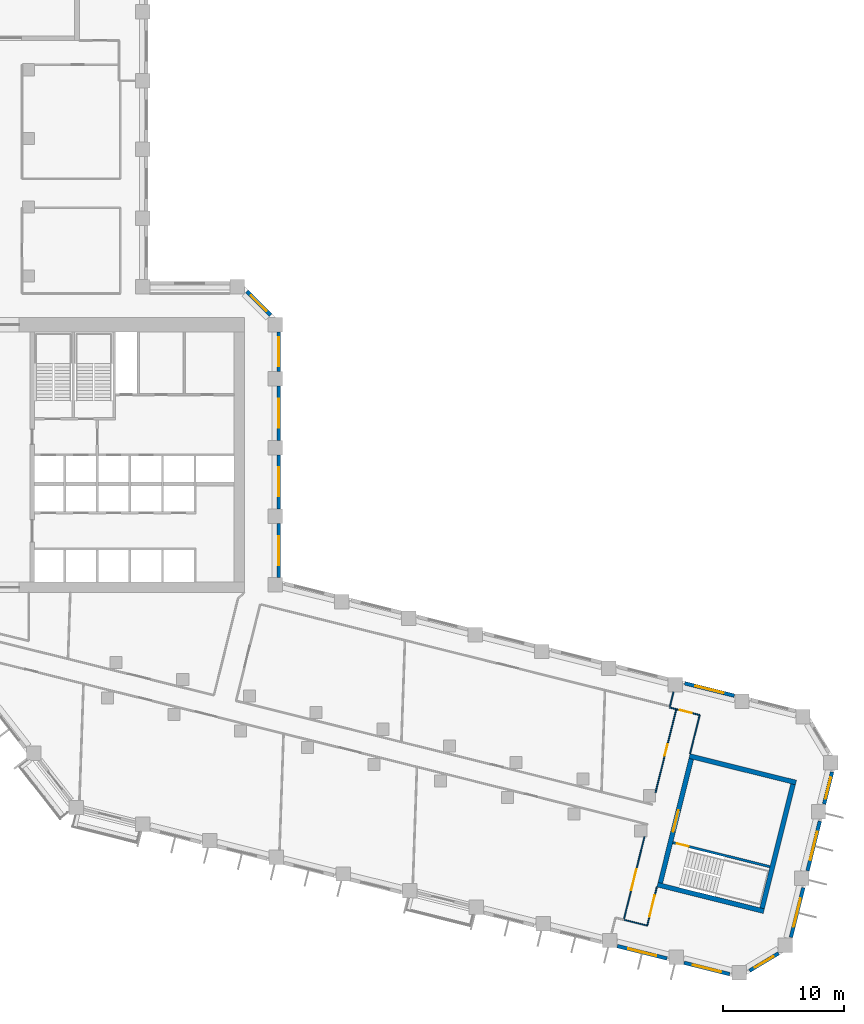
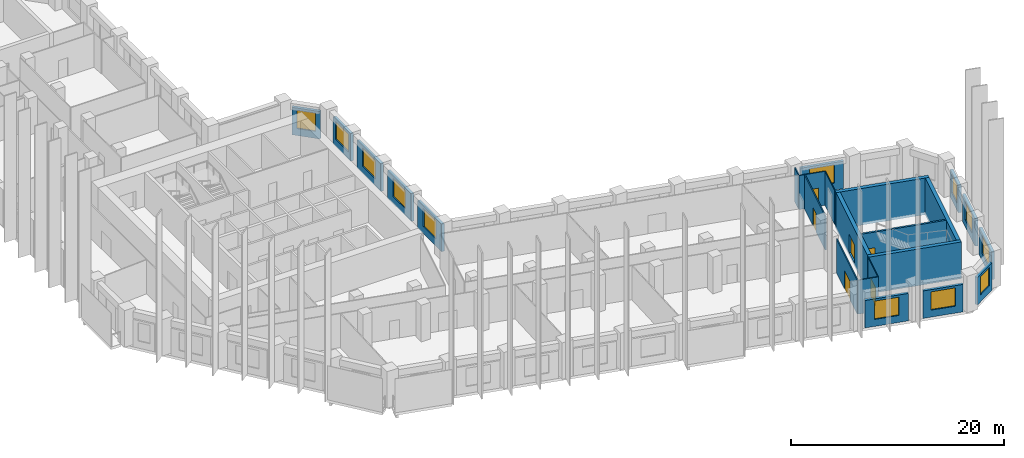
# One storey, part 6 of 10: 25 walls, 12 windows, 6 doors, 18 openings.
"""IFC4 building model written with IfcOpenShell, lengths in metres."""

from ifc_helpers import new_model, si_unit, direction, frame, frame_2d, origin, place, context, subcontext, project, spatial, rectangle, extrude, material, layer, layer_set, type_object, element, fill, save


model = new_model("IFC4")

# Units and contexts
model_context = context("Model", 3, precision=1e-05, world=origin(), true_north=direction((0.0, 1.0)))
body_context = subcontext(model_context, "Body", "Model", "MODEL_VIEW")
ifc_project = project(units=[si_unit("LENGTHUNIT", "METRE"), si_unit("AREAUNIT", "SQUARE_METRE"), si_unit("VOLUMEUNIT", "CUBIC_METRE"), si_unit("PLANEANGLEUNIT", "RADIAN"), si_unit("MASSUNIT", "GRAM", prefix="KILO")], contexts=[model_context])

# Site, building, storey
site_placement = place(None, origin())
site = spatial("IfcSite", under=ifc_project, at=site_placement, CompositionType="ELEMENT")
building_placement = place(site_placement, origin())
building = spatial("IfcBuilding", under=site, at=building_placement, Name="Meshkara Civic Tower", CompositionType="ELEMENT")
storey_placement = place(building_placement, frame((0.0, 0.0, 161.39990234375)))
storey = spatial("IfcBuildingStorey", under=building, at=storey_placement, Name="L36", CompositionType="ELEMENT", Elevation=161.39990234375)

# Wall
ifc_material_1 = material(Name="Corridor wall 100")
ifc_layer_1 = layer(ifc_material_1, 0.10009765625)
ifc_layer_set_1 = layer_set([ifc_layer_1], Name="Corridor wall 100")
wall_type_1 = type_object("IfcWallType", Name="Corridor wall 100", PredefinedType="PARTITIONING", material=ifc_layer_set_1)
wall_1_placement = place(storey_placement, frame((62.261962890625, -13.050048828125, 0.0), z_axis=(0.0, 0.0, 1.0), x_axis=(0.970300241929, -0.241903783585, 0.0)))
element("IfcWall", 1, at=wall_1_placement, inside=storey, type_object=wall_type_1, Name="L36-W032", PredefinedType="PARTITIONING", context=body_context, shape_type="SweptSolid", body=[
    extrude(rectangle(XDim=2.000244140625, YDim=0.10009765625, at=frame_2d((1.0, 0.0))), origin(), (0.0, 0.0, 1.0), 3.900146484375),
])

# Wall, opening, door
wall_2_placement = place(storey_placement, frame((63.97705078125, -6.1708984375, 0.0), z_axis=(0.0, 0.0, 1.0), x_axis=(-0.241911678739, -0.970298273568, 0.0)))
wall_2 = element("IfcWall", 2, at=wall_2_placement, inside=storey, type_object=wall_type_1, Name="L36-W033", PredefinedType="PARTITIONING", context=body_context, shape_type="SweptSolid", body=[
    extrude(rectangle(XDim=7.08984375, YDim=0.10009765625, at=frame_2d((3.544921875, 0.0))), origin(), (0.0, 0.0, 1.0), 3.900146484375),
])
opening_1_placement = place(wall_2_placement, frame((2.780029296875, 0.0, 0.0)))
opening_1 = element("IfcOpeningElement", 3, at=opening_1_placement, cuts=wall_2, Name="Opening L36-D001", PredefinedType="OPENING", context=body_context, shape_type="SweptSolid", body=[
    extrude(rectangle(XDim=1.800048828125, YDim=2.10009765625, at=frame_2d((0.89990234375, 1.050048828125))), frame((0.0, 0.06005859375, 0.0), z_axis=(0.0, -1.0, 0.0), x_axis=(1.0, 0.0, 0.0)), (0.0, 0.0, 1.0), 0.1201171875),
])
ifc_material_2 = material(Name="Door pair 1800 x 2100")
door_type_1 = type_object("IfcDoorType", Name="Door pair 1800 x 2100", OperationType="SINGLE_SWING_LEFT", PredefinedType="DOOR", material=ifc_material_2)
door_1_placement = place(opening_1_placement, origin())
door_1 = element("IfcDoor", 4, at=door_1_placement, inside=storey, type_object=door_type_1, Name="L36-D001", OperationType="DOUBLE_DOOR_SINGLE_SWING", OverallHeight=2.10009765625, OverallWidth=1.800048828125, PredefinedType="DOOR", context=body_context, shape_type="SweptSolid", body=[
    extrude(rectangle(XDim=1.800048828125, YDim=2.10009765625, at=frame_2d((0.89990234375, 1.050048828125))), frame((0.0, 0.02490234375, 0.0), z_axis=(0.0, -1.0, 0.0), x_axis=(1.0, 0.0, 0.0)), (0.0, 0.0, 1.0), 0.050048828125),
])
fill(opening_1, door_1)

wall_3_placement = place(storey_placement, frame((64.202880859375, -13.533935546875, 0.0), z_axis=(0.0, 0.0, 1.0), x_axis=(0.241856645367, 0.970311992656, 0.0)))
wall_3 = element("IfcWall", 5, at=wall_3_placement, inside=storey, type_object=wall_type_1, Name="L36-W034", PredefinedType="PARTITIONING", context=body_context, shape_type="SweptSolid", body=[
    extrude(rectangle(XDim=3.2998046875, YDim=0.10009765625, at=frame_2d((1.64990234375, 0.0))), origin(), (0.0, 0.0, 1.0), 3.900146484375),
])
opening_2_placement = place(wall_3_placement, frame((0.780029296875, 0.0, 0.0)))
opening_2 = element("IfcOpeningElement", 6, at=opening_2_placement, cuts=wall_3, Name="Opening L36-D002", PredefinedType="OPENING", context=body_context, shape_type="SweptSolid", body=[
    extrude(rectangle(XDim=1.800048828125, YDim=2.10009765625, at=frame_2d((0.89990234375, 1.050048828125))), frame((0.0, 0.06005859375, 0.0), z_axis=(0.0, -1.0, 0.0), x_axis=(1.0, 0.0, 0.0)), (0.0, 0.0, 1.0), 0.1201171875),
])
door_2_placement = place(opening_2_placement, origin())
door_2 = element("IfcDoor", 7, at=door_2_placement, inside=storey, type_object=door_type_1, Name="L36-D002", OperationType="DOUBLE_DOOR_SINGLE_SWING", OverallHeight=2.10009765625, OverallWidth=1.800048828125, PredefinedType="DOOR", context=body_context, shape_type="SweptSolid", body=[
    extrude(rectangle(XDim=1.800048828125, YDim=2.10009765625, at=frame_2d((0.89990234375, 1.050048828125))), frame((0.0, 0.02490234375, 0.0), z_axis=(0.0, -1.0, 0.0), x_axis=(1.0, 0.0, 0.0)), (0.0, 0.0, 1.0), 0.050048828125),
])
fill(opening_2, door_2)

# Wall
wall_4_placement = place(storey_placement, frame((66.0869140625, 4.64990234375, 0.0), z_axis=(0.0, 0.0, 1.0), x_axis=(0.24202255973, 0.970270622343, 0.0)))
element("IfcWall", 8, at=wall_4_placement, inside=storey, type_object=wall_type_1, Name="L36-W035", PredefinedType="PARTITIONING", context=body_context, shape_type="SweptSolid", body=[
    extrude(rectangle(XDim=1.231689453125, YDim=0.10009765625, at=frame_2d((0.61572265625, 0.0))), origin(), (0.0, 0.0, 1.0), 3.900146484375),
])

# Wall, opening, door
wall_5_placement = place(storey_placement, frame((66.616943359375, 4.4150390625, 0.0), z_axis=(0.0, 0.0, 1.0), x_axis=(-0.241898048516, -0.97030167171, 0.0)))
wall_5 = element("IfcWall", 9, at=wall_5_placement, inside=storey, type_object=wall_type_1, Name="L36-W036", PredefinedType="PARTITIONING", context=body_context, shape_type="SweptSolid", body=[
    extrude(rectangle(XDim=7.118408203125, YDim=0.10009765625, at=frame_2d((3.55908203125, 0.0))), origin(), (0.0, 0.0, 1.0), 3.900146484375),
])
opening_3_placement = place(wall_5_placement, frame((2.97998046875, 0.0, 0.0)))
opening_3 = element("IfcOpeningElement", 10, at=opening_3_placement, cuts=wall_5, Name="Opening L36-D008", PredefinedType="OPENING", context=body_context, shape_type="SweptSolid", body=[
    extrude(rectangle(XDim=1.0, YDim=2.10009765625, at=frame_2d((0.5, 1.050048828125))), frame((0.0, 0.06005859375, 0.0), z_axis=(0.0, -1.0, 0.0), x_axis=(1.0, 0.0, 0.0)), (0.0, 0.0, 1.0), 0.1201171875),
])
ifc_material_3 = material(Name="Door 1000 x 2100")
door_type_2 = type_object("IfcDoorType", Name="Door 1000 x 2100", OperationType="SINGLE_SWING_LEFT", PredefinedType="DOOR", material=ifc_material_3)
door_3_placement = place(opening_3_placement, origin())
door_3 = element("IfcDoor", 11, at=door_3_placement, inside=storey, type_object=door_type_2, Name="L36-D008", OperationType="SINGLE_SWING_RIGHT", OverallHeight=2.10009765625, OverallWidth=1.0, PredefinedType="DOOR", context=body_context, shape_type="SweptSolid", body=[
    extrude(rectangle(XDim=1.0, YDim=2.10009765625, at=frame_2d((0.5, 1.050048828125))), frame((0.0, 0.02490234375, 0.0), z_axis=(0.0, -1.0, 0.0), x_axis=(1.0, 0.0, 0.0)), (0.0, 0.0, 1.0), 0.050048828125),
])
fill(opening_3, door_3)

# Wall
wall_6_placement = place(storey_placement, frame((67.759033203125, 0.72900390625, 0.0), z_axis=(0.0, 0.0, 1.0), x_axis=(0.241786986316, 0.970329352977, 0.0)))
element("IfcWall", 12, at=wall_6_placement, inside=storey, type_object=wall_type_1, Name="L36-W037", PredefinedType="PARTITIONING", context=body_context, shape_type="SweptSolid", body=[
    extrude(rectangle(XDim=3.2998046875, YDim=0.10009765625, at=frame_2d((1.64990234375, 0.0))), origin(), (0.0, 0.0, 1.0), 3.900146484375),
])

# Wall, opening, door
wall_7_placement = place(storey_placement, frame((68.556884765625, 3.930908203125, 0.0), z_axis=(0.0, 0.0, 1.0), x_axis=(-0.970242973473, 0.242133377347, 0.0)))
wall_7 = element("IfcWall", 13, at=wall_7_placement, inside=storey, type_object=wall_type_1, Name="L36-W038", PredefinedType="PARTITIONING", context=body_context, shape_type="SweptSolid", body=[
    extrude(rectangle(XDim=1.99951171875, YDim=0.10009765625, at=frame_2d((0.999755859375, 0.0))), origin(), (0.0, 0.0, 1.0), 3.900146484375),
])
opening_4_placement = place(wall_7_placement, frame((0.679931640625, 0.0, 0.0)))
opening_4 = element("IfcOpeningElement", 14, at=opening_4_placement, cuts=wall_7, Name="Opening L36-D009", PredefinedType="OPENING", context=body_context, shape_type="SweptSolid", body=[
    extrude(rectangle(XDim=1.0, YDim=2.10009765625, at=frame_2d((0.5, 1.050048828125))), frame((0.0, 0.06005859375, 0.0), z_axis=(0.0, -1.0, 0.0), x_axis=(1.0, 0.0, 0.0)), (0.0, 0.0, 1.0), 0.1201171875),
])
door_4_placement = place(opening_4_placement, origin())
door_4 = element("IfcDoor", 15, at=door_4_placement, inside=storey, type_object=door_type_2, Name="L36-D009", OperationType="SINGLE_SWING_LEFT", OverallHeight=2.10009765625, OverallWidth=1.0, PredefinedType="DOOR", context=body_context, shape_type="SweptSolid", body=[
    extrude(rectangle(XDim=1.0, YDim=2.10009765625, at=frame_2d((0.5, 1.050048828125))), frame((0.0, 0.02490234375, 0.0), z_axis=(0.0, -1.0, 0.0), x_axis=(1.0, 0.0, 0.0)), (0.0, 0.0, 1.0), 0.050048828125),
])
fill(opening_4, door_4)

# Wall, opening, window
ifc_material_4 = material(Name="Insulated infill panel with bronze anodised aluminium cladding", Category="aluminium")
ifc_layer_2 = layer(ifc_material_4, 0.300048828125)
ifc_layer_set_2 = layer_set([ifc_layer_2], Name="EXTERNAL INFILL WALL 300")
wall_type_2 = type_object("IfcWallType", Name="EXTERNAL INFILL WALL 300", PredefinedType="SOLIDWALL", material=ifc_layer_set_2)
wall_8_placement = place(storey_placement, frame((71.431884765625, 5.532958984375, 0.0), z_axis=(0.0, 0.0, 1.0), x_axis=(-0.970301260502, 0.241899697951, 0.0)))
wall_8 = element("IfcWall", 16, at=wall_8_placement, inside=storey, type_object=wall_type_2, Name="External wall", PredefinedType="SOLIDWALL", context=body_context, shape_type="SweptSolid", body=[
    extrude(rectangle(XDim=4.24609375, YDim=0.300048828125, at=frame_2d((2.123046875, 0.0))), origin(), (0.0, 0.0, 1.0), 3.150146484375),
])
opening_5_placement = place(wall_8_placement, frame((0.923095703125, 0.0, 0.800048828125)))
opening_5 = element("IfcOpeningElement", 17, at=opening_5_placement, cuts=wall_8, Name="Opening W7", PredefinedType="OPENING", context=body_context, shape_type="SweptSolid", body=[
    extrude(rectangle(XDim=2.39990234375, YDim=2.10009765625, at=frame_2d((1.199951171875, 1.050048828125))), frame((0.0, 0.159912109375, 0.0), z_axis=(0.0, -1.0, 0.0), x_axis=(1.0, 0.0, 0.0)), (0.0, 0.0, 1.0), 0.320068359375),
])
ifc_material_5 = material(Name="Tinted double glazing", Category="glass")
window_type_1 = type_object("IfcWindowType", Name="WINDOW 2400x2100", PartitioningType="DOUBLE_PANEL_VERTICAL", PredefinedType="WINDOW", material=ifc_material_5)
window_1_placement = place(opening_5_placement, origin())
window_1 = element("IfcWindow", 18, at=window_1_placement, inside=storey, type_object=window_type_1, Name="Window", OverallHeight=2.10009765625, OverallWidth=2.39990234375, PartitioningType="DOUBLE_PANEL_VERTICAL", PredefinedType="WINDOW", context=body_context, shape_type="SweptSolid", body=[
    extrude(rectangle(XDim=2.39990234375, YDim=2.10009765625, at=frame_2d((1.199951171875, 1.050048828125))), frame((0.0, 0.030029296875, 0.0), z_axis=(0.0, -1.0, 0.0), x_axis=(1.0, 0.0, 0.0)), (0.0, 0.0, 1.0), 0.06005859375),
])
fill(opening_5, window_1)

wall_9_placement = place(storey_placement, frame((33.64990234375, 15.319091796875, 0.0), z_axis=(0.0, 0.0, 1.0), x_axis=(0.0, 1.0, 0.0)))
wall_9 = element("IfcWall", 19, at=wall_9_placement, inside=storey, type_object=wall_type_2, Name="External wall", PredefinedType="SOLIDWALL", context=body_context, shape_type="SweptSolid", body=[
    extrude(rectangle(XDim=4.5, YDim=0.300048828125, at=frame_2d((2.25, 0.0))), origin(), (0.0, 0.0, 1.0), 3.150146484375),
])
opening_6_placement = place(wall_9_placement, frame((1.050048828125, 0.0, 0.800048828125)))
opening_6 = element("IfcOpeningElement", 20, at=opening_6_placement, cuts=wall_9, Name="Opening W7", PredefinedType="OPENING", context=body_context, shape_type="SweptSolid", body=[
    extrude(rectangle(XDim=2.39990234375, YDim=2.10009765625, at=frame_2d((1.199951171875, 1.050048828125))), frame((0.0, 0.159912109375, 0.0), z_axis=(0.0, -1.0, 0.0), x_axis=(1.0, 0.0, 0.0)), (0.0, 0.0, 1.0), 0.320068359375),
])
window_2_placement = place(opening_6_placement, origin())
window_2 = element("IfcWindow", 21, at=window_2_placement, inside=storey, type_object=window_type_1, Name="Window", OverallHeight=2.10009765625, OverallWidth=2.39990234375, PartitioningType="DOUBLE_PANEL_VERTICAL", PredefinedType="WINDOW", context=body_context, shape_type="SweptSolid", body=[
    extrude(rectangle(XDim=2.39990234375, YDim=2.10009765625, at=frame_2d((1.199951171875, 1.050048828125))), frame((0.0, 0.030029296875, 0.0), z_axis=(0.0, -1.0, 0.0), x_axis=(1.0, 0.0, 0.0)), (0.0, 0.0, 1.0), 0.06005859375),
])
fill(opening_6, window_2)

wall_10_placement = place(storey_placement, frame((33.64990234375, 21.01904296875, 0.0), z_axis=(0.0, 0.0, 1.0), x_axis=(0.0, 1.0, 0.0)))
wall_10 = element("IfcWall", 22, at=wall_10_placement, inside=storey, type_object=wall_type_2, Name="External wall", PredefinedType="SOLIDWALL", context=body_context, shape_type="SweptSolid", body=[
    extrude(rectangle(XDim=4.5, YDim=0.300048828125, at=frame_2d((2.25, 0.0))), origin(), (0.0, 0.0, 1.0), 3.150146484375),
])
opening_7_placement = place(wall_10_placement, frame((1.050048828125, 0.0, 0.800048828125)))
opening_7 = element("IfcOpeningElement", 23, at=opening_7_placement, cuts=wall_10, Name="Opening W7", PredefinedType="OPENING", context=body_context, shape_type="SweptSolid", body=[
    extrude(rectangle(XDim=2.39990234375, YDim=2.10009765625, at=frame_2d((1.199951171875, 1.050048828125))), frame((0.0, 0.159912109375, 0.0), z_axis=(0.0, -1.0, 0.0), x_axis=(1.0, 0.0, 0.0)), (0.0, 0.0, 1.0), 0.320068359375),
])
window_3_placement = place(opening_7_placement, origin())
window_3 = element("IfcWindow", 24, at=window_3_placement, inside=storey, type_object=window_type_1, Name="Window", OverallHeight=2.10009765625, OverallWidth=2.39990234375, PartitioningType="DOUBLE_PANEL_VERTICAL", PredefinedType="WINDOW", context=body_context, shape_type="SweptSolid", body=[
    extrude(rectangle(XDim=2.39990234375, YDim=2.10009765625, at=frame_2d((1.199951171875, 1.050048828125))), frame((0.0, 0.030029296875, 0.0), z_axis=(0.0, -1.0, 0.0), x_axis=(1.0, 0.0, 0.0)), (0.0, 0.0, 1.0), 0.06005859375),
])
fill(opening_7, window_3)

wall_11_placement = place(storey_placement, frame((33.64990234375, 26.718994140625, 0.0), z_axis=(0.0, 0.0, 1.0), x_axis=(0.0, 1.0, 0.0)))
wall_11 = element("IfcWall", 25, at=wall_11_placement, inside=storey, type_object=wall_type_2, Name="External wall", PredefinedType="SOLIDWALL", context=body_context, shape_type="SweptSolid", body=[
    extrude(rectangle(XDim=4.5, YDim=0.300048828125, at=frame_2d((2.25, 0.0))), origin(), (0.0, 0.0, 1.0), 3.150146484375),
])
opening_8_placement = place(wall_11_placement, frame((1.050048828125, 0.0, 0.800048828125)))
opening_8 = element("IfcOpeningElement", 26, at=opening_8_placement, cuts=wall_11, Name="Opening W7", PredefinedType="OPENING", context=body_context, shape_type="SweptSolid", body=[
    extrude(rectangle(XDim=2.39990234375, YDim=2.10009765625, at=frame_2d((1.199951171875, 1.050048828125))), frame((0.0, 0.159912109375, 0.0), z_axis=(0.0, -1.0, 0.0), x_axis=(1.0, 0.0, 0.0)), (0.0, 0.0, 1.0), 0.320068359375),
])
window_4_placement = place(opening_8_placement, origin())
window_4 = element("IfcWindow", 27, at=window_4_placement, inside=storey, type_object=window_type_1, Name="Window", OverallHeight=2.10009765625, OverallWidth=2.39990234375, PartitioningType="DOUBLE_PANEL_VERTICAL", PredefinedType="WINDOW", context=body_context, shape_type="SweptSolid", body=[
    extrude(rectangle(XDim=2.39990234375, YDim=2.10009765625, at=frame_2d((1.199951171875, 1.050048828125))), frame((0.0, 0.030029296875, 0.0), z_axis=(0.0, -1.0, 0.0), x_axis=(1.0, 0.0, 0.0)), (0.0, 0.0, 1.0), 0.06005859375),
])
fill(opening_8, window_4)

wall_12_placement = place(storey_placement, frame((33.64990234375, 32.4189453125, 0.0), z_axis=(0.0, 0.0, 1.0), x_axis=(0.0, 1.0, 0.0)))
wall_12 = element("IfcWall", 28, at=wall_12_placement, inside=storey, type_object=wall_type_2, Name="External wall", PredefinedType="SOLIDWALL", context=body_context, shape_type="SweptSolid", body=[
    extrude(rectangle(XDim=3.275146484375, YDim=0.300048828125, at=frame_2d((1.6376953125, 0.0))), origin(), (0.0, 0.0, 1.0), 3.150146484375),
])
opening_9_placement = place(wall_12_placement, frame((0.43798828125, 0.0, 0.800048828125)))
opening_9 = element("IfcOpeningElement", 29, at=opening_9_placement, cuts=wall_12, Name="Opening W7", PredefinedType="OPENING", context=body_context, shape_type="SweptSolid", body=[
    extrude(rectangle(XDim=2.39990234375, YDim=2.10009765625, at=frame_2d((1.199951171875, 1.050048828125))), frame((0.0, 0.159912109375, 0.0), z_axis=(0.0, -1.0, 0.0), x_axis=(1.0, 0.0, 0.0)), (0.0, 0.0, 1.0), 0.320068359375),
])
window_5_placement = place(opening_9_placement, origin())
window_5 = element("IfcWindow", 30, at=window_5_placement, inside=storey, type_object=window_type_1, Name="Window", OverallHeight=2.10009765625, OverallWidth=2.39990234375, PartitioningType="DOUBLE_PANEL_VERTICAL", PredefinedType="WINDOW", context=body_context, shape_type="SweptSolid", body=[
    extrude(rectangle(XDim=2.39990234375, YDim=2.10009765625, at=frame_2d((1.199951171875, 1.050048828125))), frame((0.0, 0.030029296875, 0.0), z_axis=(0.0, -1.0, 0.0), x_axis=(1.0, 0.0, 0.0)), (0.0, 0.0, 1.0), 0.06005859375),
])
fill(opening_9, window_5)

wall_13_placement = place(storey_placement, frame((32.9619140625, 37.10595703125, 0.0), z_axis=(0.0, 0.0, 1.0), x_axis=(-0.707062649074, 0.707150910545, 0.0)))
wall_13 = element("IfcWall", 31, at=wall_13_placement, inside=storey, type_object=wall_type_2, Name="External wall", PredefinedType="SOLIDWALL", context=body_context, shape_type="SweptSolid", body=[
    extrude(rectangle(XDim=2.76611328125, YDim=0.300048828125, at=frame_2d((1.383056640625, 0.0))), origin(), (0.0, 0.0, 1.0), 3.150146484375),
])
opening_10_placement = place(wall_13_placement, frame((0.48291015625, 0.0, 0.800048828125)))
opening_10 = element("IfcOpeningElement", 32, at=opening_10_placement, cuts=wall_13, Name="Opening W9", PredefinedType="OPENING", context=body_context, shape_type="SweptSolid", body=[
    extrude(rectangle(XDim=1.800048828125, YDim=2.10009765625, at=frame_2d((0.89990234375, 1.050048828125))), frame((0.0, 0.159912109375, 0.0), z_axis=(0.0, -1.0, 0.0), x_axis=(1.0, 0.0, 0.0)), (0.0, 0.0, 1.0), 0.320068359375),
])
ifc_material_6 = material(Name="Tinted double glazing", Category="glass")
window_type_2 = type_object("IfcWindowType", Name="WINDOW 1800x2100", PartitioningType="DOUBLE_PANEL_VERTICAL", PredefinedType="WINDOW", material=ifc_material_6)
window_6_placement = place(opening_10_placement, origin())
window_6 = element("IfcWindow", 33, at=window_6_placement, inside=storey, type_object=window_type_2, Name="Window", OverallHeight=2.10009765625, OverallWidth=1.800048828125, PartitioningType="DOUBLE_PANEL_VERTICAL", PredefinedType="WINDOW", context=body_context, shape_type="SweptSolid", body=[
    extrude(rectangle(XDim=1.800048828125, YDim=2.10009765625, at=frame_2d((0.89990234375, 1.050048828125))), frame((0.0, 0.030029296875, 0.0), z_axis=(0.0, -1.0, 0.0), x_axis=(1.0, 0.0, 0.0)), (0.0, 0.0, 1.0), 0.06005859375),
])
fill(opening_10, window_6)

wall_14_placement = place(storey_placement, frame((61.72998046875, -15.236083984375, 0.0), z_axis=(0.0, 0.0, 1.0), x_axis=(0.970304663212, -0.241886048688, 0.0)))
wall_14 = element("IfcWall", 34, at=wall_14_placement, inside=storey, type_object=wall_type_2, Name="External wall", PredefinedType="SOLIDWALL", context=body_context, shape_type="SweptSolid", body=[
    extrude(rectangle(XDim=4.2451171875, YDim=0.300048828125, at=frame_2d((2.12255859375, 0.0))), origin(), (0.0, 0.0, 1.0), 3.150146484375),
])
opening_11_placement = place(wall_14_placement, frame((0.922119140625, 0.0, 0.800048828125)))
opening_11 = element("IfcOpeningElement", 35, at=opening_11_placement, cuts=wall_14, Name="Opening W7", PredefinedType="OPENING", context=body_context, shape_type="SweptSolid", body=[
    extrude(rectangle(XDim=2.39990234375, YDim=2.10009765625, at=frame_2d((1.199951171875, 1.050048828125))), frame((0.0, 0.159912109375, 0.0), z_axis=(0.0, -1.0, 0.0), x_axis=(1.0, 0.0, 0.0)), (0.0, 0.0, 1.0), 0.320068359375),
])
window_7_placement = place(opening_11_placement, origin())
window_7 = element("IfcWindow", 36, at=window_7_placement, inside=storey, type_object=window_type_1, Name="Window", OverallHeight=2.10009765625, OverallWidth=2.39990234375, PartitioningType="DOUBLE_PANEL_VERTICAL", PredefinedType="WINDOW", context=body_context, shape_type="SweptSolid", body=[
    extrude(rectangle(XDim=2.39990234375, YDim=2.10009765625, at=frame_2d((1.199951171875, 1.050048828125))), frame((0.0, 0.030029296875, 0.0), z_axis=(0.0, -1.0, 0.0), x_axis=(1.0, 0.0, 0.0)), (0.0, 0.0, 1.0), 0.06005859375),
])
fill(opening_11, window_7)

wall_15_placement = place(storey_placement, frame((67.260009765625, -16.614990234375, 0.0), z_axis=(0.0, 0.0, 1.0), x_axis=(0.97033344074, -0.241770580885, 0.0)))
wall_15 = element("IfcWall", 37, at=wall_15_placement, inside=storey, type_object=wall_type_2, Name="External wall", PredefinedType="SOLIDWALL", context=body_context, shape_type="SweptSolid", body=[
    extrude(rectangle(XDim=3.905029296875, YDim=0.300048828125, at=frame_2d((1.95263671875, 0.0))), origin(), (0.0, 0.0, 1.0), 3.150146484375),
])
opening_12_placement = place(wall_15_placement, frame((0.751953125, 0.0, 0.800048828125)))
opening_12 = element("IfcOpeningElement", 38, at=opening_12_placement, cuts=wall_15, Name="Opening W7", PredefinedType="OPENING", context=body_context, shape_type="SweptSolid", body=[
    extrude(rectangle(XDim=2.39990234375, YDim=2.10009765625, at=frame_2d((1.199951171875, 1.050048828125))), frame((0.0, 0.159912109375, 0.0), z_axis=(0.0, -1.0, 0.0), x_axis=(1.0, 0.0, 0.0)), (0.0, 0.0, 1.0), 0.320068359375),
])
window_8_placement = place(opening_12_placement, origin())
window_8 = element("IfcWindow", 39, at=window_8_placement, inside=storey, type_object=window_type_1, Name="Window", OverallHeight=2.10009765625, OverallWidth=2.39990234375, PartitioningType="DOUBLE_PANEL_VERTICAL", PredefinedType="WINDOW", context=body_context, shape_type="SweptSolid", body=[
    extrude(rectangle(XDim=2.39990234375, YDim=2.10009765625, at=frame_2d((1.199951171875, 1.050048828125))), frame((0.0, 0.030029296875, 0.0), z_axis=(0.0, -1.0, 0.0), x_axis=(1.0, 0.0, 0.0)), (0.0, 0.0, 1.0), 0.06005859375),
])
fill(opening_12, window_8)

wall_16_placement = place(storey_placement, frame((72.68701171875, -17.277099609375, 0.0), z_axis=(0.0, 0.0, 1.0), x_axis=(0.857309341171, 0.514801606, 0.0)))
wall_16 = element("IfcWall", 40, at=wall_16_placement, inside=storey, type_object=wall_type_2, Name="External wall", PredefinedType="SOLIDWALL", context=body_context, shape_type="SweptSolid", body=[
    extrude(rectangle(XDim=2.81689453125, YDim=0.300048828125, at=frame_2d((1.408447265625, 0.0))), origin(), (0.0, 0.0, 1.0), 3.150146484375),
])
opening_13_placement = place(wall_16_placement, frame((0.508056640625, 0.0, 0.800048828125)))
opening_13 = element("IfcOpeningElement", 41, at=opening_13_placement, cuts=wall_16, Name="Opening W9", PredefinedType="OPENING", context=body_context, shape_type="SweptSolid", body=[
    extrude(rectangle(XDim=1.800048828125, YDim=2.10009765625, at=frame_2d((0.89990234375, 1.050048828125))), frame((0.0, 0.159912109375, 0.0), z_axis=(0.0, -1.0, 0.0), x_axis=(1.0, 0.0, 0.0)), (0.0, 0.0, 1.0), 0.320068359375),
])
window_9_placement = place(opening_13_placement, origin())
window_9 = element("IfcWindow", 42, at=window_9_placement, inside=storey, type_object=window_type_2, Name="Window", OverallHeight=2.10009765625, OverallWidth=1.800048828125, PartitioningType="DOUBLE_PANEL_VERTICAL", PredefinedType="WINDOW", context=body_context, shape_type="SweptSolid", body=[
    extrude(rectangle(XDim=1.800048828125, YDim=2.10009765625, at=frame_2d((0.89990234375, 1.050048828125))), frame((0.0, 0.030029296875, 0.0), z_axis=(0.0, -1.0, 0.0), x_axis=(1.0, 0.0, 0.0)), (0.0, 0.0, 1.0), 0.06005859375),
])
fill(opening_13, window_9)

wall_17_placement = place(storey_placement, frame((76.12109375, -14.511962890625, 0.0), z_axis=(0.0, 0.0, 1.0), x_axis=(0.241845562088, 0.970314755169, 0.0)))
wall_17 = element("IfcWall", 43, at=wall_17_placement, inside=storey, type_object=wall_type_2, Name="External wall", PredefinedType="SOLIDWALL", context=body_context, shape_type="SweptSolid", body=[
    extrude(rectangle(XDim=4.245849609375, YDim=0.300048828125, at=frame_2d((2.123046875, 0.0))), origin(), (0.0, 0.0, 1.0), 3.150146484375),
])
opening_14_placement = place(wall_17_placement, frame((0.923095703125, 0.0, 0.800048828125)))
opening_14 = element("IfcOpeningElement", 44, at=opening_14_placement, cuts=wall_17, Name="Opening W7", PredefinedType="OPENING", context=body_context, shape_type="SweptSolid", body=[
    extrude(rectangle(XDim=2.39990234375, YDim=2.10009765625, at=frame_2d((1.199951171875, 1.050048828125))), frame((0.0, 0.159912109375, 0.0), z_axis=(0.0, -1.0, 0.0), x_axis=(1.0, 0.0, 0.0)), (0.0, 0.0, 1.0), 0.320068359375),
])
window_10_placement = place(opening_14_placement, origin())
window_10 = element("IfcWindow", 45, at=window_10_placement, inside=storey, type_object=window_type_1, Name="Window", OverallHeight=2.10009765625, OverallWidth=2.39990234375, PartitioningType="DOUBLE_PANEL_VERTICAL", PredefinedType="WINDOW", context=body_context, shape_type="SweptSolid", body=[
    extrude(rectangle(XDim=2.39990234375, YDim=2.10009765625, at=frame_2d((1.199951171875, 1.050048828125))), frame((0.0, 0.030029296875, 0.0), z_axis=(0.0, -1.0, 0.0), x_axis=(1.0, 0.0, 0.0)), (0.0, 0.0, 1.0), 0.06005859375),
])
fill(opening_14, window_10)

wall_18_placement = place(storey_placement, frame((77.5, -8.98095703125, 0.0), z_axis=(0.0, 0.0, 1.0), x_axis=(0.241682938765, 0.970355273655, 0.0)))
wall_18 = element("IfcWall", 46, at=wall_18_placement, inside=storey, type_object=wall_type_2, Name="External wall", PredefinedType="SOLIDWALL", context=body_context, shape_type="SweptSolid", body=[
    extrude(rectangle(XDim=4.24462890625, YDim=0.300048828125, at=frame_2d((2.122314453125, 0.0))), origin(), (0.0, 0.0, 1.0), 3.150146484375),
])
opening_15_placement = place(wall_18_placement, frame((0.922119140625, 0.0, 0.800048828125)))
opening_15 = element("IfcOpeningElement", 47, at=opening_15_placement, cuts=wall_18, Name="Opening W7", PredefinedType="OPENING", context=body_context, shape_type="SweptSolid", body=[
    extrude(rectangle(XDim=2.39990234375, YDim=2.10009765625, at=frame_2d((1.199951171875, 1.050048828125))), frame((0.0, 0.159912109375, 0.0), z_axis=(0.0, -1.0, 0.0), x_axis=(1.0, 0.0, 0.0)), (0.0, 0.0, 1.0), 0.320068359375),
])
window_11_placement = place(opening_15_placement, origin())
window_11 = element("IfcWindow", 48, at=window_11_placement, inside=storey, type_object=window_type_1, Name="Window", OverallHeight=2.10009765625, OverallWidth=2.39990234375, PartitioningType="DOUBLE_PANEL_VERTICAL", PredefinedType="WINDOW", context=body_context, shape_type="SweptSolid", body=[
    extrude(rectangle(XDim=2.39990234375, YDim=2.10009765625, at=frame_2d((1.199951171875, 1.050048828125))), frame((0.0, 0.030029296875, 0.0), z_axis=(0.0, -1.0, 0.0), x_axis=(1.0, 0.0, 0.0)), (0.0, 0.0, 1.0), 0.06005859375),
])
fill(opening_15, window_11)

wall_19_placement = place(storey_placement, frame((78.8779296875, -3.450927734375, 0.0), z_axis=(0.0, 0.0, 1.0), x_axis=(0.24190501074, 0.970299935988, 0.0)))
wall_19 = element("IfcWall", 49, at=wall_19_placement, inside=storey, type_object=wall_type_2, Name="External wall", PredefinedType="SOLIDWALL", context=body_context, shape_type="SweptSolid", body=[
    extrude(rectangle(XDim=2.73291015625, YDim=0.300048828125, at=frame_2d((1.366455078125, 0.0))), origin(), (0.0, 0.0, 1.0), 3.150146484375),
])
opening_16_placement = place(wall_19_placement, frame((0.466064453125, 0.0, 0.800048828125)))
opening_16 = element("IfcOpeningElement", 50, at=opening_16_placement, cuts=wall_19, Name="Opening W9", PredefinedType="OPENING", context=body_context, shape_type="SweptSolid", body=[
    extrude(rectangle(XDim=1.800048828125, YDim=2.10009765625, at=frame_2d((0.89990234375, 1.050048828125))), frame((0.0, 0.159912109375, 0.0), z_axis=(0.0, -1.0, 0.0), x_axis=(1.0, 0.0, 0.0)), (0.0, 0.0, 1.0), 0.320068359375),
])
window_12_placement = place(opening_16_placement, origin())
window_12 = element("IfcWindow", 51, at=window_12_placement, inside=storey, type_object=window_type_2, Name="Window", OverallHeight=2.10009765625, OverallWidth=1.800048828125, PartitioningType="DOUBLE_PANEL_VERTICAL", PredefinedType="WINDOW", context=body_context, shape_type="SweptSolid", body=[
    extrude(rectangle(XDim=1.800048828125, YDim=2.10009765625, at=frame_2d((0.89990234375, 1.050048828125))), frame((0.0, 0.030029296875, 0.0), z_axis=(0.0, -1.0, 0.0), x_axis=(1.0, 0.0, 0.0)), (0.0, 0.0, 1.0), 0.06005859375),
])
fill(opening_16, window_12)

# Walls
ifc_material_7 = material(Name="Concrete C70", Category="concrete")
ifc_layer_3 = layer(ifc_material_7, 0.39990234375)
ifc_layer_set_3 = layer_set([ifc_layer_3], Name="End core ring wall 400 C70")
wall_type_3 = type_object("IfcWallType", Name="End core ring wall 400 C70", PredefinedType="SHEAR", material=ifc_layer_set_3)
for number, where, z_axis, x_axis, name in (
    (52, (65.050048828125, -10.137939453125, -0.2998046875), (0.0, 0.0, 1.0), (0.970273354879, -0.242011604707, 0.0), "L36-C031"),
    (53, (67.7109375, 0.534912109375, -0.2998046875), (0.0, 0.0, 1.0), (0.970306418893, -0.241879005816, 0.0), "L36-C032"),
):
    element("IfcWall", number, at=place(storey_placement, frame(where, z_axis=z_axis, x_axis=x_axis)), inside=storey, type_object=wall_type_3, Name=name, PredefinedType="SHEAR", context=body_context, shape_type="SweptSolid", body=[
        extrude(rectangle(XDim=9.099365234375, YDim=0.39990234375, at=frame_2d((4.5498046875, 0.0))), origin(), (0.0, 0.0, 1.0), 4.199951171875),
    ])

# Wall, opening, door
wall_20_placement = place(storey_placement, frame((65.2919921875, -9.991943359375, -0.2998046875), z_axis=(0.0, 0.0, 1.0), x_axis=(0.241890652548, 0.970303515509, 0.0)))
wall_20 = element("IfcWall", 54, at=wall_20_placement, inside=storey, type_object=wall_type_3, Name="L36-C033", PredefinedType="SHEAR", context=body_context, shape_type="SweptSolid", body=[
    extrude(rectangle(XDim=10.599609375, YDim=0.39990234375, at=frame_2d((5.2998046875, 0.0))), origin(), (0.0, 0.0, 1.0), 4.199951171875),
])
opening_17_placement = place(wall_20_placement, frame((4.39990234375, 0.0, 0.300048828125)))
opening_17 = element("IfcOpeningElement", 55, at=opening_17_placement, cuts=wall_20, Name="Opening L36-K202", PredefinedType="OPENING", context=body_context, shape_type="SweptSolid", body=[
    extrude(rectangle(XDim=1.800048828125, YDim=2.10009765625, at=frame_2d((0.89990234375, 1.050048828125))), frame((0.0, 0.2099609375, 0.0), z_axis=(0.0, -1.0, 0.0), x_axis=(1.0, 0.0, 0.0)), (0.0, 0.0, 1.0), 0.419921875),
])
ifc_material_8 = material(Name="Fire-rated door leaf in steel frame", Category="steel")
door_type_3 = type_object("IfcDoorType", Name="Core double door 1800 EI 60", OperationType="DOUBLE_DOOR_SINGLE_SWING", PredefinedType="DOOR", material=ifc_material_8)
door_5_placement = place(opening_17_placement, origin())
door_5 = element("IfcDoor", 56, at=door_5_placement, inside=storey, type_object=door_type_3, Name="L36-K202", OperationType="DOUBLE_DOOR_SINGLE_SWING", OverallHeight=2.10009765625, OverallWidth=1.800048828125, PredefinedType="DOOR", context=body_context, shape_type="SweptSolid", body=[
    extrude(rectangle(XDim=1.800048828125, YDim=2.10009765625, at=frame_2d((0.89990234375, 1.050048828125))), frame((0.0, 0.02490234375, 0.0), z_axis=(0.0, -1.0, 0.0), x_axis=(1.0, 0.0, 0.0)), (0.0, 0.0, 1.0), 0.050048828125),
])
fill(opening_17, door_5)

# Walls
wall_21_placement = place(storey_placement, frame((73.73388671875, -12.096923828125, -0.2998046875), z_axis=(0.0, 0.0, 1.0), x_axis=(0.241912337509, 0.970298109326, 0.0)))
element("IfcWall", 57, at=wall_21_placement, inside=storey, type_object=wall_type_3, Name="L36-C034", PredefinedType="SHEAR", context=body_context, shape_type="SweptSolid", body=[
    extrude(rectangle(XDim=10.599853515625, YDim=0.39990234375, at=frame_2d((5.2998046875, 0.0))), origin(), (0.0, 0.0, 1.0), 4.199951171875),
])
ifc_material_9 = material(Name="Partition 100")
ifc_layer_4 = layer(ifc_material_9, 0.10009765625)
ifc_layer_set_4 = layer_set([ifc_layer_4], Name="Partition 100")
wall_type_4 = type_object("IfcWallType", Name="Partition 100", PredefinedType="PARTITIONING", material=ifc_layer_set_4)
wall_22_placement = place(storey_placement, frame((66.62109375, 4.4140625, 0.0), z_axis=(0.0, 0.0, 1.0), x_axis=(-0.970391687927, 0.241536688727, 0.0)))
element("IfcWall", 58, at=wall_22_placement, inside=storey, type_object=wall_type_4, Name="L36-W058", PredefinedType="PARTITIONING", context=body_context, shape_type="SweptSolid", body=[
    extrude(rectangle(XDim=0.5751953125, YDim=0.10009765625, at=frame_2d((0.28759765625, 0.0))), origin(), (0.0, 0.0, 1.0), 3.900146484375),
])

# Wall, opening, door
ifc_material_10 = material(Name="Concrete C40/50", Category="concrete")
ifc_layer_5 = layer(ifc_material_10, 0.199951171875)
ifc_layer_set_5 = layer_set([ifc_layer_5], Name="Stair enclosure wall 200 C40/50")
wall_type_5 = type_object("IfcWallType", Name="Stair enclosure wall 200 C40/50", PredefinedType="SOLIDWALL", material=ifc_layer_set_5)
wall_23_placement = place(storey_placement, frame((66.3330078125, -6.64501953125, 0.0), z_axis=(0.0, 0.0, 1.0), x_axis=(0.970289402158, -0.241947258837, 0.0)))
wall_23 = element("IfcWall", 59, at=wall_23_placement, inside=storey, type_object=wall_type_5, Name="L36-C035", PredefinedType="SOLIDWALL", context=body_context, shape_type="SweptSolid", body=[
    extrude(rectangle(XDim=8.299560546875, YDim=0.199951171875, at=frame_2d((4.14990234375, 0.0))), origin(), (0.0, 0.0, 1.0), 3.900146484375),
])
opening_18_placement = place(wall_23_placement, frame((0.35009765625, 0.0, 0.0)))
opening_18 = element("IfcOpeningElement", 60, at=opening_18_placement, cuts=wall_23, Name="Opening L36-K201", PredefinedType="OPENING", context=body_context, shape_type="SweptSolid", body=[
    extrude(rectangle(XDim=1.0, YDim=2.10009765625, at=frame_2d((0.5, 1.050048828125))), frame((0.0, 0.10986328125, 0.0), z_axis=(0.0, -1.0, 0.0), x_axis=(1.0, 0.0, 0.0)), (0.0, 0.0, 1.0), 0.219970703125),
])
ifc_material_11 = material(Name="Fire-rated door leaf in steel frame", Category="steel")
door_type_4 = type_object("IfcDoorType", Name="Stair door 1000 EI 120", OperationType="SINGLE_SWING_LEFT", PredefinedType="DOOR", material=ifc_material_11)
door_6_placement = place(opening_18_placement, origin())
door_6 = element("IfcDoor", 61, at=door_6_placement, inside=storey, type_object=door_type_4, Name="L36-K201", OperationType="SINGLE_SWING_LEFT", OverallHeight=2.10009765625, OverallWidth=1.0, PredefinedType="DOOR", context=body_context, shape_type="SweptSolid", body=[
    extrude(rectangle(XDim=1.0, YDim=2.10009765625, at=frame_2d((0.5, 1.050048828125))), frame((0.0, 0.02490234375, 0.0), z_axis=(0.0, -1.0, 0.0), x_axis=(1.0, 0.0, 0.0)), (0.0, 0.0, 1.0), 0.050048828125),
])
fill(opening_18, door_6)

save(model, "model.ifc")
